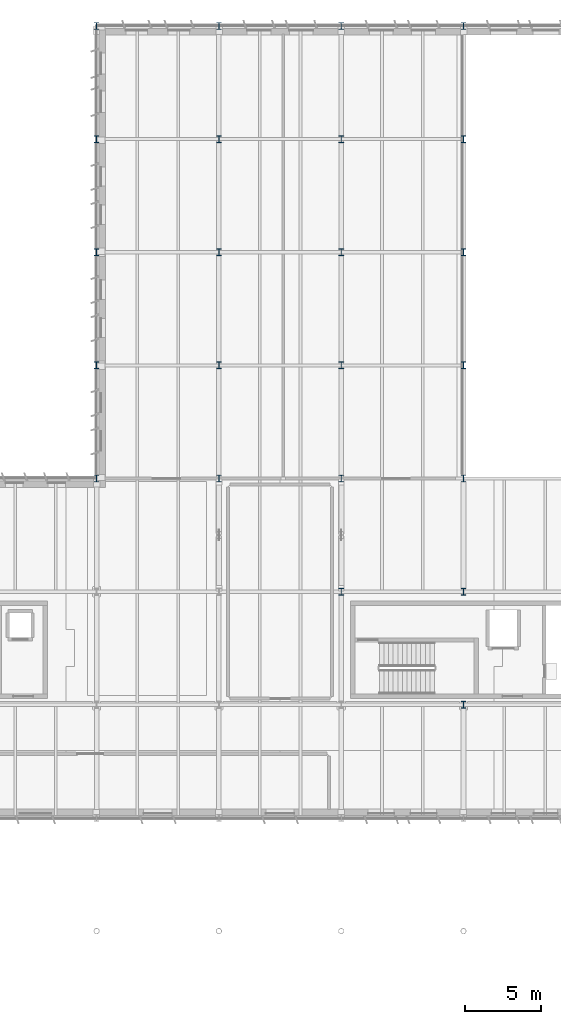
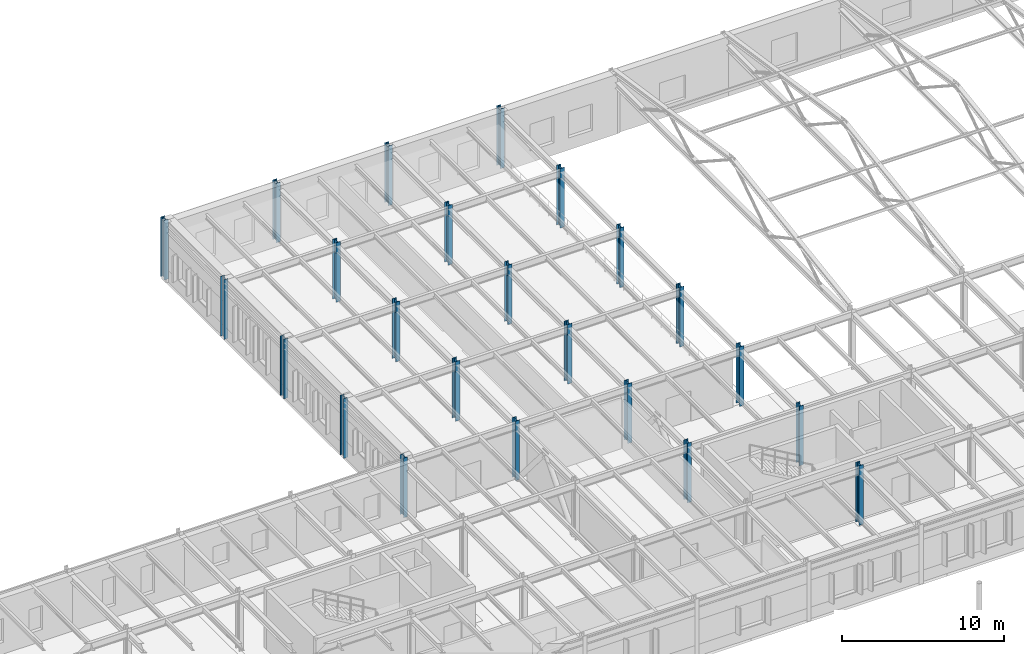
# One storey, part 12 of 75: 23 columns.
"""IFC4 building model written with IfcOpenShell, lengths in metres."""

import ifcopenshell
import ifcopenshell.guid

model = None  # the IFC model being written
_history = None  # IfcOwnerHistory: only IFC2X3 demands one
_inside = {}  # id of a spatial element -> (the spatial element, [elements in it])
_under = {}  # id of a project, library or spatial element -> (it, [spatial elements below it])
_declared = {}  # id of a project -> (the project, [libraries it declares])
_typed = {}  # id of a type object -> (the type object, [elements of that type])
_made_of = {}  # id of a material, layer set ... -> (it, [elements and type objects made of it])


def new_model(schema):
    """Start an empty IFC model of exactly this schema.

    Asked for "IFC4X3", IfcOpenShell would pick the latest addendum, in which some entities
    have other attributes; the version numbers below select the first issue.
    IFC2X3 requires an IfcOwnerHistory on every rooted entity: one is made here for all.
    """
    global model, _history
    if schema == "IFC4X3":
        model = ifcopenshell.file(schema_version=(4, 3, 0, 0))
    else:
        model = ifcopenshell.file(schema=schema)
    _inside.clear()
    _under.clear()
    _declared.clear()
    _typed.clear()
    _made_of.clear()
    _history = None
    if model.schema == "IFC2X3":
        org = make("IfcOrganization", Name="unknown")
        user = make(
            "IfcPersonAndOrganization",
            ThePerson=make("IfcPerson", FamilyName="unknown"),
            TheOrganization=org,
        )
        app = make(
            "IfcApplication",
            ApplicationDeveloper=org,
            Version="unknown",
            ApplicationFullName="unknown",
            ApplicationIdentifier="unknown",
        )
        _history = make(
            "IfcOwnerHistory",
            OwningUser=user,
            OwningApplication=app,
            ChangeAction="ADDED",
            CreationDate=0,
        )
    return model


def make(cls, **values):
    """One entity of the class cls with the attributes given. An attribute that is None is left unset."""
    return model.create_entity(
        cls, **{name: value for name, value in values.items() if value is not None}
    )


def rooted(cls, **values):
    """An entity with a GlobalId (a new one), such as an element, a storey or a relation."""
    return make(cls, GlobalId=ifcopenshell.guid.new(), OwnerHistory=_history, **values)


def si_unit(unit_type, name, prefix=None):
    """IfcSIUnit, for example si_unit("LENGTHUNIT", "METRE", prefix="MILLI")."""
    return make("IfcSIUnit", UnitType=unit_type, Prefix=prefix, Name=name)


def assignment(units):
    """IfcUnitAssignment: the units of a project."""
    return None if units is None else make("IfcUnitAssignment", Units=units)


def point(xyz):
    """IfcCartesianPoint."""
    return None if xyz is None else make("IfcCartesianPoint", Coordinates=xyz)


def direction(xyz):
    """IfcDirection."""
    return None if xyz is None else make("IfcDirection", DirectionRatios=xyz)


def frame(location, z_axis=None, x_axis=None):
    """IfcAxis2Placement3D, a coordinate frame: its origin and axes. An axis left out is left unset."""
    return make(
        "IfcAxis2Placement3D",
        Location=point(location),
        Axis=direction(z_axis),
        RefDirection=direction(x_axis),
    )


def frame_2d(location, x_axis=None):
    """IfcAxis2Placement2D, a coordinate frame in the plane: its origin and x axis."""
    return make(
        "IfcAxis2Placement2D", Location=point(location), RefDirection=direction(x_axis)
    )


def origin():
    """The frame at (0, 0, 0) with its axes left unset."""
    return frame((0.0, 0.0, 0.0))


def origin_2d():
    """The frame at (0, 0) in the plane with its x axis left unset."""
    return frame_2d((0.0, 0.0))


def place(relative_to, where):
    """IfcLocalPlacement: puts the frame where relative to a parent placement (None: the world)."""
    return make(
        "IfcLocalPlacement", PlacementRelTo=relative_to, RelativePlacement=where
    )


def context(
    kind, dimensions, precision=None, world=None, true_north=None, identifier=None
):
    """IfcGeometricRepresentationContext, for example the 3D "Model" context."""
    return make(
        "IfcGeometricRepresentationContext",
        ContextIdentifier=identifier,
        ContextType=kind,
        CoordinateSpaceDimension=dimensions,
        Precision=precision,
        WorldCoordinateSystem=world,
        TrueNorth=true_north,
    )


def subcontext(parent, identifier, kind, view, scale=None):
    """IfcGeometricRepresentationSubContext, for example "Body" below "Model"."""
    return make(
        "IfcGeometricRepresentationSubContext",
        ContextIdentifier=identifier,
        ContextType=kind,
        ParentContext=parent,
        TargetScale=scale,
        TargetView=view,
    )


def project(units=None, contexts=None):
    """IfcProject with its units and contexts."""
    return rooted(
        "IfcProject",
        Name="project",
        RepresentationContexts=contexts,
        UnitsInContext=assignment(units),
    )


def spatial(cls, under=None, at=None, **own):
    """A site, building, storey or space (cls), placed at a placement, below another one or the project."""
    s = rooted(cls, ObjectPlacement=at, **own)
    if under is not None:
        _under.setdefault(under.id(), (under, []))[1].append(s)
    return s


def profile(cls, at=None, kind="AREA", **sizes):
    """A parametric profile (cls). Its sizes go by their IFC names, for example OverallWidth=200.0."""
    return make(cls, ProfileType=kind, Position=at, **sizes)


def i_section(**sizes):
    """IfcIShapeProfileDef."""
    return profile("IfcIShapeProfileDef", **sizes)


def extrude(swept, where, along, depth):
    """IfcExtrudedAreaSolid: the profile swept, set in the frame where, extruded along a direction by depth."""
    return make(
        "IfcExtrudedAreaSolid",
        SweptArea=swept,
        Position=where,
        ExtrudedDirection=direction(along),
        Depth=depth,
    )


def shape(context_of_items, identifier, shape_type, items):
    """IfcShapeRepresentation: the items that make up one representation, for example the "Body"."""
    return make(
        "IfcShapeRepresentation",
        ContextOfItems=context_of_items,
        RepresentationIdentifier=identifier,
        RepresentationType=shape_type,
        Items=items,
    )


def material(Name=None, Category=None):
    """IfcMaterial."""
    return make("IfcMaterial", Name=Name, Category=Category)


def material_profile(
    of_material, cross_section, Name=None, Category=None, Priority=None
):
    """IfcMaterialProfile: a cross section and its material."""
    return make(
        "IfcMaterialProfile",
        Name=Name,
        Material=of_material,
        Profile=cross_section,
        Priority=Priority,
        Category=Category,
    )


def profile_set(profiles, Name=None, composite=None):
    """IfcMaterialProfileSet."""
    return make(
        "IfcMaterialProfileSet",
        Name=Name,
        MaterialProfiles=profiles,
        CompositeProfile=composite,
    )


def made_of(thing, what):
    """Note that an element or type object is made of a material, layer set ...; save() writes the relation."""
    if what is not None:
        _made_of.setdefault(what.id(), (what, []))[1].append(thing)
    return thing


def type_object(cls, material=None, **own):
    """A type object (cls), such as IfcWallType, which elements share."""
    return made_of(rooted(cls, **own), material)


def element(
    cls,
    number,
    at=None,
    inside=None,
    cuts=None,
    type_object=None,
    material=None,
    context=None,
    identifier="Body",
    shape_type=None,
    held_by="IfcProductDefinitionShape",
    body=None,
    shapes=None,
    **own,
):
    """One element of the class cls, such as IfcWall. Its Tag is "e" and its number.

    at: its placement. inside: the storey or other place that contains it. cuts: it is an
    opening in that element (IfcRelVoidsElement). A single representation is given by context,
    identifier, shape_type and body (its items); several are given by shapes. held_by: the class
    of the entity that holds the representations. save() writes the other relations.
    """
    e = rooted(cls, Tag="e%d" % number, ObjectPlacement=at, **own)
    if body is not None:
        shapes = [shape(context, identifier, shape_type, body)]
    if shapes is not None:
        e.Representation = make(held_by, Representations=shapes)
    if inside is not None:
        _inside.setdefault(inside.id(), (inside, []))[1].append(e)
    if cuts is not None:
        rooted(
            "IfcRelVoidsElement", RelatingBuildingElement=cuts, RelatedOpeningElement=e
        )
    if type_object is not None:
        _typed.setdefault(type_object.id(), (type_object, []))[1].append(e)
    return made_of(e, material)


def aggregate(whole, parts):
    """IfcRelAggregates: a whole, such as a stair, and the parts it consists of."""
    return rooted("IfcRelAggregates", RelatingObject=whole, RelatedObjects=parts)


def save(model, path):
    """Write the relations noted so far, then the file.

    IfcRelAggregates (storeys below a building ...), IfcRelContainedInSpatialStructure (elements
    in a storey), IfcRelDefinesByType, IfcRelAssociatesMaterial and IfcRelDeclares: one each for
    every whole, place, type object, material and project.
    """
    for whole, parts in _under.values():
        aggregate(whole, parts)
    for where, things in _inside.values():
        rooted(
            "IfcRelContainedInSpatialStructure",
            RelatedElements=things,
            RelatingStructure=where,
        )
    for kind, things in _typed.values():
        rooted("IfcRelDefinesByType", RelatedObjects=things, RelatingType=kind)
    for what, things in _made_of.values():
        rooted("IfcRelAssociatesMaterial", RelatedObjects=things, RelatingMaterial=what)
    for by, libraries in _declared.values():
        rooted("IfcRelDeclares", RelatingContext=by, RelatedDefinitions=libraries)
    model.write(path)


model = new_model("IFC4")

# Units and contexts
model_context = context("Model", 3, precision=1e-05, world=origin(), true_north=direction((0.0, 1.0)))
body_context = subcontext(model_context, "Body", "Model", "MODEL_VIEW")
ifc_project = project(units=[si_unit("LENGTHUNIT", "METRE"), si_unit("AREAUNIT", "SQUARE_METRE"), si_unit("VOLUMEUNIT", "CUBIC_METRE"), si_unit("PLANEANGLEUNIT", "RADIAN"), si_unit("MASSUNIT", "GRAM", prefix="KILO")], contexts=[model_context])

# Site, building, storey
site_placement = place(None, origin())
site = spatial("IfcSite", under=ifc_project, at=site_placement, CompositionType="ELEMENT")
building_placement = place(site_placement, origin())
building = spatial("IfcBuilding", under=site, at=building_placement, Name="Valkorina Park Police Headquarters", CompositionType="ELEMENT")
storey_placement = place(building_placement, frame((0.0, 0.0, 5.39990234375)))
storey = spatial("IfcBuildingStorey", under=building, at=storey_placement, Name="L02", CompositionType="ELEMENT", Elevation=5.39990234375)

# Columns
ifc_material = material(Name="Steel S355", Category="steel")
ifc_material_profile_1 = material_profile(ifc_material, i_section(OverallWidth=0.300048828125, OverallDepth=0.449951171875, WebThickness=0.013916015625, FlangeThickness=0.02587890625, FilletRadius=0.027099609375, at=origin_2d()), Name="HEB 450")
ifc_profile_set_1 = profile_set([ifc_material_profile_1], Name="Steel S355")
column_type_1 = type_object("IfcColumnType", Name="COL-S355-HEB450-EXT", PredefinedType="COLUMN", material=ifc_profile_set_1)
for number, where, z_axis, x_axis, name in (
    (1, (96.800048828125, 81.39990234375, 0.0), (0.0, 0.0, 1.0), (1.0, 0.0, 0.0), "L02 Column 0633"),
    (2, (96.800048828125, 88.800048828125, 0.0), (0.0, 0.0, 1.0), (1.0, 0.0, 0.0), "L02 Column 0634"),
    (3, (96.800048828125, 96.199951171875, 0.0), (0.0, 0.0, 1.0), (1.0, 0.0, 0.0), "L02 Column 0635"),
    (4, (96.800048828125, 103.60009765625, 0.0), (0.0, 0.0, 1.0), (1.0, 0.0, 0.0), "L02 Column 0636"),
    (5, (96.800048828125, 111.0, 0.0), (0.0, 0.0, 1.0), (1.0, 0.0, 0.0), "L02 Column 0637"),
    (6, (104.800048828125, 111.0, 0.0), (0.0, 0.0, 1.0), (1.0, 0.0, 0.0), "L02 Column 0648"),
    (7, (112.800048828125, 111.0, 0.0), (0.0, 0.0, 1.0), (1.0, 0.0, 0.0), "L02 Column 0659"),
    (8, (120.800048828125, 81.39990234375, 0.0), (0.0, 0.0, 1.0), (1.0, 0.0, 0.0), "L02 Column 0666"),
    (9, (120.800048828125, 88.800048828125, 0.0), (0.0, 0.0, 1.0), (1.0, 0.0, 0.0), "L02 Column 0667"),
    (10, (120.800048828125, 96.199951171875, 0.0), (0.0, 0.0, 1.0), (1.0, 0.0, 0.0), "L02 Column 0668"),
    (11, (120.800048828125, 103.60009765625, 0.0), (0.0, 0.0, 1.0), (1.0, 0.0, 0.0), "L02 Column 0669"),
    (12, (120.800048828125, 111.0, 0.0), (0.0, 0.0, 1.0), (1.0, 0.0, 0.0), "L02 Column 0670"),
):
    element("IfcColumn", number, at=place(storey_placement, frame(where, z_axis=z_axis, x_axis=x_axis)), inside=storey, type_object=column_type_1, Name=name, PredefinedType="COLUMN", context=body_context, shape_type="SweptSolid", body=[
        extrude(i_section(OverallWidth=0.300048828125, OverallDepth=0.449951171875, WebThickness=0.013916015625, FlangeThickness=0.02587890625, FilletRadius=0.027099609375, at=origin_2d()), origin(), (0.0, 0.0, 1.0), 4.5),
    ])
ifc_material_profile_2 = material_profile(ifc_material, i_section(OverallWidth=0.300048828125, OverallDepth=0.449951171875, WebThickness=0.013916015625, FlangeThickness=0.02587890625, FilletRadius=0.027099609375, at=origin_2d()), Name="HEB 450")
ifc_profile_set_2 = profile_set([ifc_material_profile_2], Name="Steel S355")
column_type_2 = type_object("IfcColumnType", Name="COL-S355-HEB450-INT", PredefinedType="COLUMN", material=ifc_profile_set_2)
for number, where, z_axis, x_axis, name in (
    (13, (104.800048828125, 81.39990234375, 0.0), (0.0, 0.0, 1.0), (1.0, 0.0, 0.0), "L02 Column 0644"),
    (14, (104.800048828125, 88.800048828125, 0.0), (0.0, 0.0, 1.0), (1.0, 0.0, 0.0), "L02 Column 0645"),
    (15, (104.800048828125, 96.199951171875, 0.0), (0.0, 0.0, 1.0), (1.0, 0.0, 0.0), "L02 Column 0646"),
    (16, (104.800048828125, 103.60009765625, 0.0), (0.0, 0.0, 1.0), (1.0, 0.0, 0.0), "L02 Column 0647"),
    (17, (112.800048828125, 74.0, 0.0), (0.0, 0.0, 1.0), (1.0, 0.0, 0.0), "L02 Column 0654"),
    (18, (112.800048828125, 81.39990234375, 0.0), (0.0, 0.0, 1.0), (1.0, 0.0, 0.0), "L02 Column 0655"),
    (19, (112.800048828125, 88.800048828125, 0.0), (0.0, 0.0, 1.0), (1.0, 0.0, 0.0), "L02 Column 0656"),
    (20, (112.800048828125, 96.199951171875, 0.0), (0.0, 0.0, 1.0), (1.0, 0.0, 0.0), "L02 Column 0657"),
    (21, (112.800048828125, 103.60009765625, 0.0), (0.0, 0.0, 1.0), (1.0, 0.0, 0.0), "L02 Column 0658"),
    (22, (120.800048828125, 66.60009765625, 0.0), (0.0, 0.0, 1.0), (1.0, 0.0, 0.0), "L02 Column 0664"),
    (23, (120.800048828125, 74.0, 0.0), (0.0, 0.0, 1.0), (1.0, 0.0, 0.0), "L02 Column 0665"),
):
    element("IfcColumn", number, at=place(storey_placement, frame(where, z_axis=z_axis, x_axis=x_axis)), inside=storey, type_object=column_type_2, Name=name, PredefinedType="COLUMN", context=body_context, shape_type="SweptSolid", body=[
        extrude(i_section(OverallWidth=0.300048828125, OverallDepth=0.449951171875, WebThickness=0.013916015625, FlangeThickness=0.02587890625, FilletRadius=0.027099609375, at=origin_2d()), origin(), (0.0, 0.0, 1.0), 4.5),
    ])

save(model, "model.ifc")
